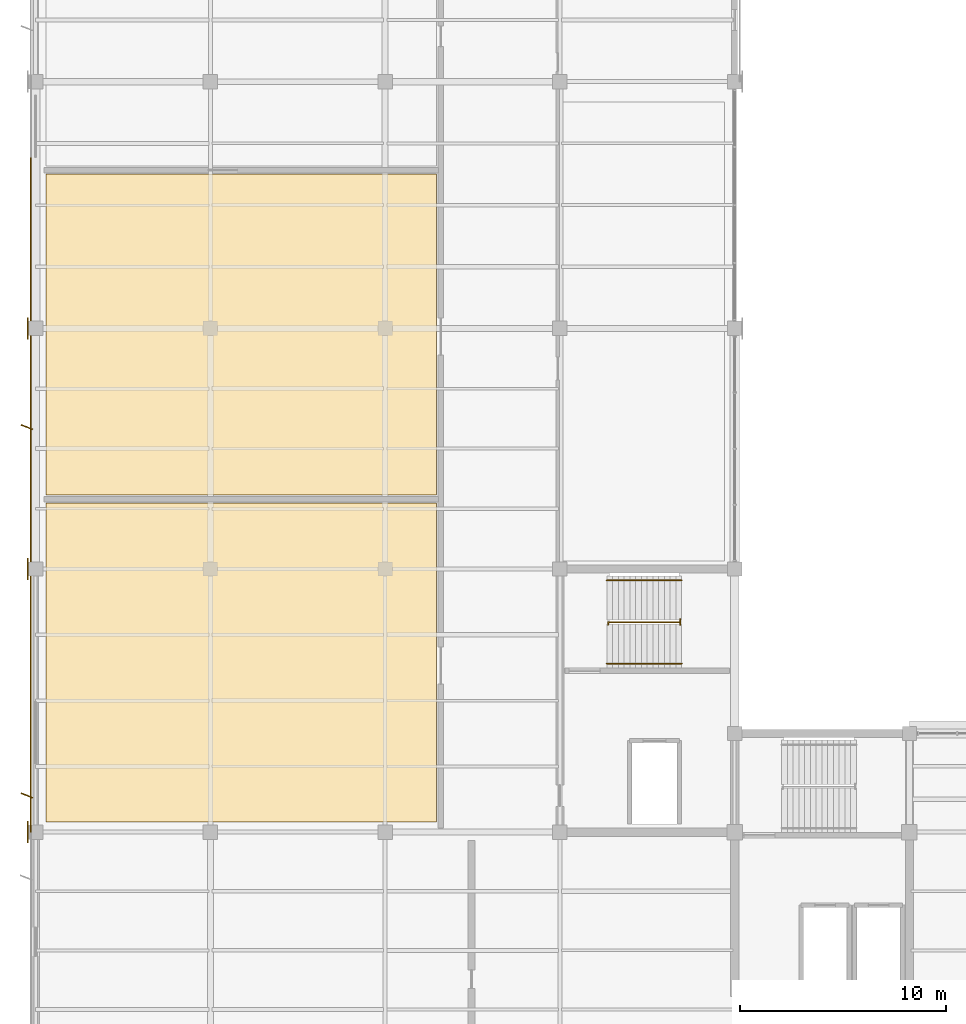
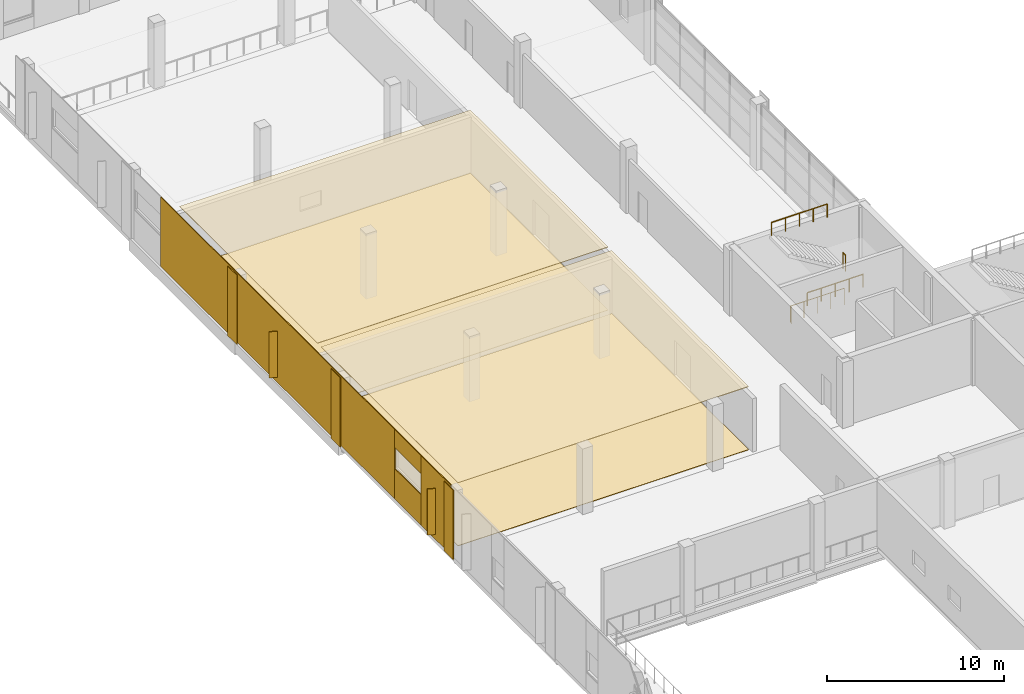
# One storey, part 91 of 101: 13 coverings, 4 railings.
"""IFC4 building model written with IfcOpenShell, lengths in metres."""

from ifc_helpers import new_model, si_unit, direction, frame, origin, origin_2d, place, context, subcontext, project, spatial, polyline, rectangle, circle, outline, extrude, material, layer, layer_set, type_object, element, save


model = new_model("IFC4")

# Units and contexts
model_context = context("Model", 3, precision=1e-05, world=origin(), true_north=direction((0.0, 1.0)))
body_context = subcontext(model_context, "Body", "Model", "MODEL_VIEW")
ifc_project = project(units=[si_unit("LENGTHUNIT", "METRE"), si_unit("AREAUNIT", "SQUARE_METRE"), si_unit("VOLUMEUNIT", "CUBIC_METRE"), si_unit("PLANEANGLEUNIT", "RADIAN"), si_unit("MASSUNIT", "GRAM", prefix="KILO")], contexts=[model_context])

# Site, building, storey
site_placement = place(None, origin())
site = spatial("IfcSite", under=ifc_project, at=site_placement, CompositionType="ELEMENT")
building_placement = place(site_placement, origin())
building = spatial("IfcBuilding", under=site, at=building_placement, Name="Solvikara Media Centre", CompositionType="ELEMENT")
storey_placement = place(building_placement, frame((0.0, 0.0, 10.199951171875)))
storey = spatial("IfcBuildingStorey", under=building, at=storey_placement, Name="L02", CompositionType="ELEMENT", Elevation=10.199951171875)

# Coverings
ifc_material_1 = material(Name="Perforated acoustic gypsum ceiling board")
ifc_layer_1 = layer(ifc_material_1, 0.0400390625)
ifc_layer_set_1 = layer_set([ifc_layer_1], Name="Perforated acoustic gypsum ceiling board")
covering_type_1 = type_object("IfcCoveringType", Name="CV-01", PredefinedType="CEILING", material=ifc_layer_set_1)
covering_1_placement = place(storey_placement, frame((0.0, 0.0, 4.35009765625)))
element("IfcCovering", 1, at=covering_1_placement, inside=storey, type_object=covering_type_1, Name="CLG-031", PredefinedType="CEILING", context=body_context, shape_type="SweptSolid", body=[
    extrude(outline(polyline([(0.5, 32.5), (19.5, 32.5), (19.5, 48.0), (0.5, 48.0), (0.5, 32.5)])), origin(), (0.0, 0.0, 1.0), 0.0400390625),
])
covering_2_placement = place(storey_placement, frame((0.0, 0.0, 4.35009765625)))
element("IfcCovering", 2, at=covering_2_placement, inside=storey, type_object=covering_type_1, Name="CLG-032", PredefinedType="CEILING", context=body_context, shape_type="SweptSolid", body=[
    extrude(outline(polyline([(0.5, 48.39990234375), (19.5, 48.39990234375), (19.5, 64.0), (0.5, 64.0), (0.5, 48.39990234375)])), origin(), (0.0, 0.0, 1.0), 0.0400390625),
])
ifc_material_2 = material(Name="Polished terrazzo floor finish")
ifc_layer_2 = layer(ifc_material_2, 0.030029296875)
ifc_layer_set_2 = layer_set([ifc_layer_2], Name="Polished terrazzo floor finish")
covering_type_2 = type_object("IfcCoveringType", Name="CV-02", PredefinedType="FLOORING", material=ifc_layer_set_2)
covering_3_placement = place(storey_placement, origin())
element("IfcCovering", 3, at=covering_3_placement, inside=storey, type_object=covering_type_2, Name="FLR-031", PredefinedType="FLOORING", context=body_context, shape_type="SweptSolid", body=[
    extrude(outline(polyline([(0.5, 32.5), (19.5, 32.5), (19.5, 48.0), (0.5, 48.0), (0.5, 32.5)])), origin(), (0.0, 0.0, 1.0), 0.030029296875),
])
covering_4_placement = place(storey_placement, origin())
element("IfcCovering", 4, at=covering_4_placement, inside=storey, type_object=covering_type_2, Name="FLR-032", PredefinedType="FLOORING", context=body_context, shape_type="SweptSolid", body=[
    extrude(outline(polyline([(0.5, 48.39990234375), (19.5, 48.39990234375), (19.5, 64.0), (0.5, 64.0), (0.5, 48.39990234375)])), origin(), (0.0, 0.0, 1.0), 0.030029296875),
])
ifc_material_3 = material(Name="GFRC white mineral architectural rainscreen panel")
ifc_layer_3 = layer(ifc_material_3, 0.050048828125)
ifc_layer_set_3 = layer_set([ifc_layer_3], Name="GFRC white mineral architectural rainscreen panel")
covering_type_3 = type_object("IfcCoveringType", Name="CV-04", PredefinedType="CLADDING", material=ifc_layer_set_3)
for number, where, z_axis, x_axis, name in (
    (5, (-0.375, 32.0, 0.0), (0.0, 0.0, 1.0), (0.0, -1.0, 0.0), "PIL-L02-015"),
    (6, (-0.375, 44.800048828125, 0.0), (0.0, 0.0, 1.0), (0.0, -1.0, 0.0), "PIL-L02-019"),
    (7, (-0.375, 56.5, 0.0), (0.0, 0.0, 1.0), (0.0, -1.0, 0.0), "PIL-L02-023"),
):
    element("IfcCovering", number, at=place(storey_placement, frame(where, z_axis=z_axis, x_axis=x_axis)), inside=storey, type_object=covering_type_3, Name=name, PredefinedType="CLADDING", context=body_context, shape_type="SweptSolid", body=[
        extrude(rectangle(XDim=1.0400390625, YDim=0.050048828125, at=origin_2d()), origin(), (0.0, 0.0, 1.0), 4.800048828125),
    ])
covering_5_placement = place(storey_placement, frame((-0.2451171875, 33.675048828125, 0.0), z_axis=(0.0, 0.0, 1.0), x_axis=(0.0, 1.0, 0.0)))
element("IfcCovering", 8, at=covering_5_placement, inside=storey, type_object=covering_type_3, Name="L02-V4W-CV-F01", PredefinedType="CLADDING", context=body_context, shape_type="SweptSolid", body=[
    extrude(rectangle(XDim=3.35009765625, YDim=0.050048828125, at=origin_2d()), origin(), (0.0, 0.0, 1.0), 4.800048828125),
])
covering_6_placement = place(storey_placement, frame((-0.425048828125, 33.784912109375, 0.35009765625), z_axis=(0.0, 0.0, 1.0), x_axis=(-0.930749810713, 0.3656566557, 0.0)))
element("IfcCovering", 9, at=covering_6_placement, inside=storey, type_object=covering_type_3, Name="L02-V4W-FIN-01", PredefinedType="CLADDING", context=body_context, shape_type="SweptSolid", body=[
    extrude(rectangle(XDim=0.60205078125, YDim=0.050048828125, at=origin_2d()), origin(), (0.0, 0.0, 1.0), 3.179931640625),
])
covering_7_placement = place(storey_placement, frame((-0.2451171875, 36.85009765625, 0.0), z_axis=(0.0, 0.0, 1.0), x_axis=(0.0, 1.0, 0.0)))
element("IfcCovering", 10, at=covering_7_placement, inside=storey, type_object=covering_type_3, Name="L02-V4W-CV-S02", PredefinedType="CLADDING", context=body_context, shape_type="SweptSolid", body=[
    extrude(rectangle(XDim=3.0, YDim=0.050048828125, at=origin_2d()), origin(), (0.0, 0.0, 1.0), 2.090087890625),
])
covering_8_placement = place(storey_placement, frame((-0.2451171875, 36.85009765625, 3.550048828125), z_axis=(0.0, 0.0, 1.0), x_axis=(0.0, 1.0, 0.0)))
element("IfcCovering", 11, at=covering_8_placement, inside=storey, type_object=covering_type_3, Name="L02-V4W-CV-H02", PredefinedType="CLADDING", context=body_context, shape_type="SweptSolid", body=[
    extrude(rectangle(XDim=3.0, YDim=0.050048828125, at=origin_2d()), origin(), (0.0, 0.0, 1.0), 1.25),
])
covering_9_placement = place(storey_placement, frame((-0.2451171875, 51.590087890625, 0.0), z_axis=(0.0, 0.0, 1.0), x_axis=(0.0, 1.0, 0.0)))
element("IfcCovering", 12, at=covering_9_placement, inside=storey, type_object=covering_type_3, Name="L02-V4W-CV-F03", PredefinedType="CLADDING", context=body_context, shape_type="SweptSolid", body=[
    extrude(rectangle(XDim=26.47998046875, YDim=0.050048828125, at=origin_2d()), origin(), (0.0, 0.0, 1.0), 4.800048828125),
])
covering_10_placement = place(storey_placement, frame((-0.425048828125, 51.699951171875, 0.35009765625), z_axis=(0.0, 0.0, 1.0), x_axis=(-0.930749810713, 0.3656566557, 0.0)))
element("IfcCovering", 13, at=covering_10_placement, inside=storey, type_object=covering_type_3, Name="L02-V4W-FIN-03", PredefinedType="CLADDING", context=body_context, shape_type="SweptSolid", body=[
    extrude(rectangle(XDim=0.60205078125, YDim=0.050048828125, at=origin_2d()), origin(), (0.0, 0.0, 1.0), 3.179931640625),
])

# Railings
ifc_material_4 = material(Name="Steel S355JR", Category="steel")
railing_type_1 = type_object("IfcRailingType", Name="GR-01", PredefinedType="GUARDRAIL", material=ifc_material_4)
railing_1_placement = place(storey_placement, frame((27.840087890625, 42.080078125, 0.0)))
element("IfcRailing", 14, at=railing_1_placement, inside=storey, type_object=railing_type_1, Name="GR-C1-L01-W", PredefinedType="GUARDRAIL", context=body_context, shape_type="SweptSolid", body=[
    extrude(circle(Radius=0.02392578125, at=origin_2d()), frame((0.0, 0.0, 1.1259765625), z_axis=(0.0, 1.0, 0.0), x_axis=(-1.0, 0.0, 0.0)), (0.0, 0.0, 1.0), 0.139892578125),
    extrude(circle(Radius=0.02392578125, at=origin_2d()), frame((0.0, 0.139892578125, 1.1259765625), z_axis=(1.0, 0.0, 0.0), x_axis=(0.0, 1.0, 0.0)), (0.0, 0.0, 1.0), 3.52001953125),
    extrude(circle(Radius=0.02099609375, at=origin_2d()), origin(), (0.0, 0.0, 1.0), 1.101806640625),
    extrude(circle(Radius=0.02099609375, at=origin_2d()), frame((0.0, 0.139892578125, 0.0)), (0.0, 0.0, 1.0), 1.101806640625),
    extrude(circle(Radius=0.02099609375, at=origin_2d()), frame((0.8798828125, 0.139892578125, 0.0)), (0.0, 0.0, 1.0), 1.101806640625),
    extrude(circle(Radius=0.02099609375, at=origin_2d()), frame((1.760009765625, 0.139892578125, 0.0)), (0.0, 0.0, 1.0), 1.101806640625),
    extrude(circle(Radius=0.02099609375, at=origin_2d()), frame((2.64013671875, 0.139892578125, 0.0)), (0.0, 0.0, 1.0), 1.101806640625),
    extrude(circle(Radius=0.02099609375, at=origin_2d()), frame((3.52001953125, 0.139892578125, 0.0)), (0.0, 0.0, 1.0), 1.101806640625),
])
railing_type_2 = type_object("IfcRailingType", Name="GR-02", PredefinedType="BALUSTRADE", material=ifc_material_4)
railing_2_placement = place(storey_placement, frame((31.360107421875, 42.080078125, 2.400146484375)))
element("IfcRailing", 15, at=railing_2_placement, inside=storey, type_object=railing_type_2, Name="GR-C1-L02-M", PredefinedType="BALUSTRADE", context=body_context, shape_type="SweptSolid", body=[
    extrude(circle(Radius=0.02392578125, at=origin_2d()), frame((0.0, 0.0, 1.09619140625), z_axis=(0.0, 1.0, 0.0), x_axis=(-1.0, 0.0, 0.0)), (0.0, 0.0, 1.0), 0.2900390625),
    extrude(circle(Radius=0.02099609375, at=origin_2d()), origin(), (0.0, 0.0, 1.0), 1.072021484375),
    extrude(circle(Radius=0.02099609375, at=origin_2d()), frame((0.0, 0.2900390625, 0.0)), (0.0, 0.0, 1.0), 1.072021484375),
])
railing_type_3 = type_object("IfcRailingType", Name="HR-01", PredefinedType="HANDRAIL", material=ifc_material_4)
railing_3_placement = place(storey_placement, frame((27.780029296875, 40.199951171875, 2.400146484375)))
element("IfcRailing", 16, at=railing_3_placement, inside=storey, type_object=railing_type_3, Name="HR-C1-L02-1", PredefinedType="HANDRAIL", context=body_context, shape_type="SweptSolid", body=[
    extrude(circle(Radius=0.02392578125, at=origin_2d()), frame((0.0, 0.0, 0.89599609375), z_axis=(1.0, 0.0, 0.0), x_axis=(0.0, 1.0, 0.0)), (0.0, 0.0, 1.0), 3.639892578125),
    extrude(circle(Radius=0.02099609375, at=origin_2d()), origin(), (0.0, 0.0, 1.0), 0.871826171875),
    extrude(circle(Radius=0.02099609375, at=origin_2d()), frame((0.909912109375, 0.0, 0.0)), (0.0, 0.0, 1.0), 0.871826171875),
    extrude(circle(Radius=0.02099609375, at=origin_2d()), frame((1.81982421875, 0.0, 0.0)), (0.0, 0.0, 1.0), 0.871826171875),
    extrude(circle(Radius=0.02099609375, at=origin_2d()), frame((2.72998046875, 0.0, 0.0)), (0.0, 0.0, 1.0), 0.871826171875),
    extrude(circle(Radius=0.02099609375, at=origin_2d()), frame((3.639892578125, 0.0, 0.0)), (0.0, 0.0, 1.0), 0.871826171875),
])
railing_4_placement = place(storey_placement, frame((31.419921875, 44.25, 4.800048828125)))
element("IfcRailing", 17, at=railing_4_placement, inside=storey, type_object=railing_type_3, Name="HR-C1-L02-2", PredefinedType="HANDRAIL", context=body_context, shape_type="SweptSolid", body=[
    extrude(circle(Radius=0.02392578125, at=origin_2d()), frame((0.0, 0.0, 0.89599609375), z_axis=(-1.0, 0.0, 0.0), x_axis=(0.0, -1.0, 0.0)), (0.0, 0.0, 1.0), 3.639892578125),
    extrude(circle(Radius=0.02099609375, at=origin_2d()), origin(), (0.0, 0.0, 1.0), 0.871826171875),
    extrude(circle(Radius=0.02099609375, at=origin_2d()), frame((-0.909912109375, 0.0, 0.0)), (0.0, 0.0, 1.0), 0.871826171875),
    extrude(circle(Radius=0.02099609375, at=origin_2d()), frame((-1.81982421875, 0.0, 0.0)), (0.0, 0.0, 1.0), 0.871826171875),
    extrude(circle(Radius=0.02099609375, at=origin_2d()), frame((-2.72998046875, 0.0, 0.0)), (0.0, 0.0, 1.0), 0.871826171875),
    extrude(circle(Radius=0.02099609375, at=origin_2d()), frame((-3.639892578125, 0.0, 0.0)), (0.0, 0.0, 1.0), 0.871826171875),
])

save(model, "model.ifc")
